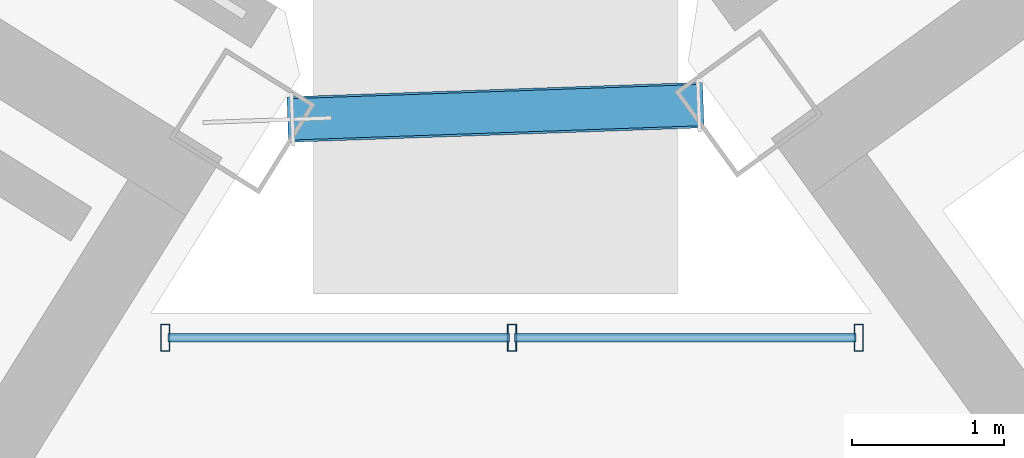
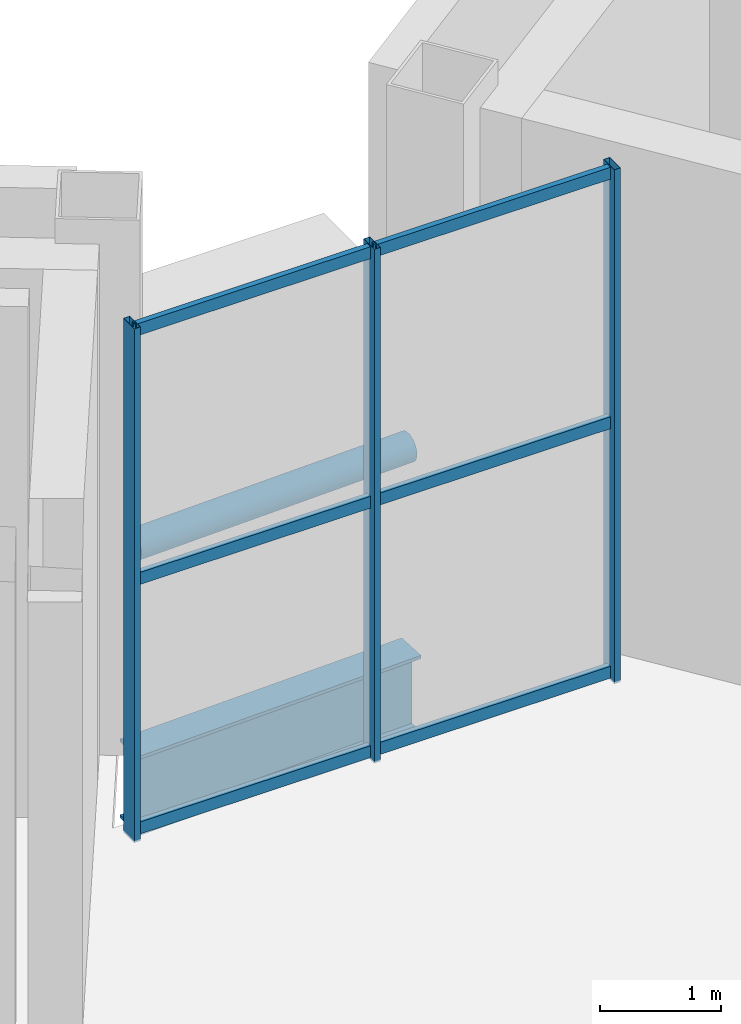
# One storey, part 12 of 32: 10 members, 1 beam, 1 element without a shape of its own.
"""IFC4 building model written with IfcOpenShell, lengths in metres."""

from ifc_helpers import new_model, si_unit, direction, frame, origin, origin_2d, place, context, subcontext, project, spatial, hollow_rectangle, hollow_circle, i_section, extrude, source, transform, mapped, material, material_profile, profile_set, type_object, element, aggregate, save


model = new_model("IFC4")

# Units and contexts
model_context = context("Model", 3, precision=1e-05, world=origin(), true_north=direction((0.0, 1.0)))
body_context = subcontext(model_context, "Body", "Model", "MODEL_VIEW")
ifc_project = project(units=[si_unit("LENGTHUNIT", "METRE"), si_unit("AREAUNIT", "SQUARE_METRE"), si_unit("VOLUMEUNIT", "CUBIC_METRE"), si_unit("PLANEANGLEUNIT", "RADIAN"), si_unit("MASSUNIT", "GRAM", prefix="KILO")], contexts=[model_context])

# Site, building, storey
site_placement = place(None, origin())
site = spatial("IfcSite", under=ifc_project, at=site_placement, CompositionType="ELEMENT")
building_placement = place(site_placement, origin())
building = spatial("IfcBuilding", under=site, at=building_placement, Name="Tlacorven Tower", CompositionType="ELEMENT")
storey_placement = place(building_placement, frame((0.0, 0.0, 245.699951171875)))
storey = spatial("IfcBuildingStorey", under=building, at=storey_placement, Name="L62", CompositionType="ELEMENT", Elevation=245.699951171875)

# Beam
ifc_material_1 = material(Name="Steel S355J2", Category="steel")
ifc_material_profile_1 = material_profile(ifc_material_1, i_section(OverallWidth=0.300048828125, OverallDepth=0.800048828125, WebThickness=0.017578125, FlangeThickness=0.032958984375, at=origin_2d()), Name="HEB 800")
ifc_profile_set_1 = profile_set([ifc_material_profile_1], Name="Steel S355J2")
beam_type = type_object("IfcBeamType", Name="BM-POD-800", PredefinedType="BEAM", material=ifc_profile_set_1)
shared_shape_1 = source(origin(), body_context, "Body", "SweptSolid", [
    extrude(i_section(OverallWidth=0.300048828125, OverallDepth=0.800048828125, WebThickness=0.017578125, FlangeThickness=0.032958984375, at=origin_2d()), origin(), (0.0, 0.0, 1.0), 2.742919921875),
])
beam_placement = place(storey_placement, frame((41.082763671875, 24.478759765625, -0.679931640625), z_axis=(0.999391107631, 0.034891460117, 0.0), x_axis=(-0.034891460117, 0.999391107631, 0.0)))
element("IfcBeam", 1, at=beam_placement, inside=storey, type_object=beam_type, Name="L62 Knuckle Link Girder 1", PredefinedType="BEAM", context=body_context, shape_type="MappedRepresentation", body=[
    mapped(shared_shape_1, transform((0.0, 0.0, 0.0), scale=1.0)),
])

# Member
ifc_material_profile_2 = material_profile(ifc_material_1, hollow_circle(Radius=0.136474609375, WallThickness=0.012451171875, at=origin_2d()), Name="CHS 273.0X12.5")
ifc_profile_set_2 = profile_set([ifc_material_profile_2], Name="Steel S355J2")
member_type_1 = type_object("IfcMemberType", Name="MB-TRB-STR", PredefinedType="STRUT", material=ifc_profile_set_2)
shared_shape_2 = source(origin(), body_context, "Body", "SweptSolid", [
    extrude(hollow_circle(Radius=0.136474609375, WallThickness=0.012451171875, at=origin_2d()), origin(), (0.0, 0.0, 1.0), 2.682861328125),
])
member_1_placement = place(storey_placement, frame((41.11279296875, 24.47998046875, 1.75), z_axis=(0.999392412647, 0.034854060649, 0.0), x_axis=(-0.034854060649, 0.999392412647, 0.0)))
element("IfcMember", 2, at=member_1_placement, inside=storey, type_object=member_type_1, Name="L62 Venturi Wind-Turbine Slot Ring Strut", PredefinedType="STRUT", context=body_context, shape_type="MappedRepresentation", body=[
    mapped(shared_shape_2, transform((0.0, 0.0, 0.0), scale=1.0)),
])

# Curtain wall, members
ifc_material_2 = material(Name="Dark solar low-E double glazing in aluminium frame", Category="aluminium")
curtain_wall_type = type_object("IfcCurtainWallType", Name="CW-TWR-HIGH", PredefinedType="USERDEFINED", material=ifc_material_2)
curtain_wall_placement = place(storey_placement, origin())
curtain_wall = element("IfcCurtainWall", 3, at=curtain_wall_placement, inside=storey, type_object=curtain_wall_type, Name="L62 CW-TWR-HIGH Curtain Wall 289", ObjectType="UNITISED CURTAIN WALL", PredefinedType="USERDEFINED")
ifc_material_3 = material(Name="Aluminium 6063-T6 anodised", Category="aluminium")
ifc_material_profile_3 = material_profile(ifc_material_3, hollow_rectangle(XDim=0.054931640625, YDim=0.1201171875, WallThickness=0.00341796875, at=origin_2d()), Name="ALU TRANSOM 55X120")
ifc_profile_set_3 = profile_set([ifc_material_profile_3], Name="Aluminium 6063-T6 anodised")
member_type_2 = type_object("IfcMemberType", Name="CWT-03", PredefinedType="USERDEFINED", material=ifc_profile_set_3)
shared_shape_3 = source(origin(), body_context, "Body", "SweptSolid", [
    extrude(hollow_rectangle(XDim=0.054931640625, YDim=0.1201171875, WallThickness=0.00341796875, at=origin_2d()), origin(), (0.0, 0.0, 1.0), 2.252197265625),
])
member_2_placement = place(storey_placement, frame((40.2919921875, 23.0400390625, 0.06005859375), z_axis=(1.0, 0.0, 0.0), x_axis=(0.0, 1.0, 0.0)))
member_2 = element("IfcMember", 4, at=member_2_placement, type_object=member_type_2, Name="CW-L62-289 Transom 1", ObjectType="TRANSOM", PredefinedType="USERDEFINED", context=body_context, shape_type="MappedRepresentation", body=[
    mapped(shared_shape_3, transform((0.0, 0.0, 0.0), scale=1.0)),
])
member_3_placement = place(storey_placement, frame((40.2919921875, 23.0400390625, 2.574951171875), z_axis=(1.0, 0.0, 0.0), x_axis=(0.0, 1.0, 0.0)))
member_3 = element("IfcMember", 5, at=member_3_placement, type_object=member_type_2, Name="CW-L62-289 Transom 2", ObjectType="TRANSOM", PredefinedType="USERDEFINED", context=body_context, shape_type="MappedRepresentation", body=[
    mapped(shared_shape_3, transform((0.0, 0.0, 0.0), scale=1.0)),
])
member_4_placement = place(storey_placement, frame((40.2919921875, 23.0400390625, 5.090087890625), z_axis=(1.0, 0.0, 0.0), x_axis=(0.0, 1.0, 0.0)))
member_4 = element("IfcMember", 6, at=member_4_placement, type_object=member_type_2, Name="CW-L62-289 Transom 3", ObjectType="TRANSOM", PredefinedType="USERDEFINED", context=body_context, shape_type="MappedRepresentation", body=[
    mapped(shared_shape_3, transform((0.0, 0.0, 0.0), scale=1.0)),
])
member_5_placement = place(storey_placement, frame((42.580322265625, 23.0400390625, 0.06005859375), z_axis=(1.0, 0.0, 0.0), x_axis=(0.0, 1.0, 0.0)))
member_5 = element("IfcMember", 7, at=member_5_placement, type_object=member_type_2, Name="CW-L62-289 Transom 4", ObjectType="TRANSOM", PredefinedType="USERDEFINED", context=body_context, shape_type="MappedRepresentation", body=[
    mapped(shared_shape_3, transform((0.0, 0.0, 0.0), scale=1.0)),
])
member_6_placement = place(storey_placement, frame((42.580322265625, 23.0400390625, 2.574951171875), z_axis=(1.0, 0.0, 0.0), x_axis=(0.0, 1.0, 0.0)))
member_6 = element("IfcMember", 8, at=member_6_placement, type_object=member_type_2, Name="CW-L62-289 Transom 5", ObjectType="TRANSOM", PredefinedType="USERDEFINED", context=body_context, shape_type="MappedRepresentation", body=[
    mapped(shared_shape_3, transform((0.0, 0.0, 0.0), scale=1.0)),
])
member_7_placement = place(storey_placement, frame((42.580322265625, 23.0400390625, 5.090087890625), z_axis=(1.0, 0.0, 0.0), x_axis=(0.0, 1.0, 0.0)))
member_7 = element("IfcMember", 9, at=member_7_placement, type_object=member_type_2, Name="CW-L62-289 Transom 6", ObjectType="TRANSOM", PredefinedType="USERDEFINED", context=body_context, shape_type="MappedRepresentation", body=[
    mapped(shared_shape_3, transform((0.0, 0.0, 0.0), scale=1.0)),
])
ifc_material_profile_4 = material_profile(ifc_material_3, hollow_rectangle(XDim=0.06005859375, YDim=0.179931640625, WallThickness=0.00390625, at=origin_2d()), Name="ALU MULLION 60X180")
ifc_profile_set_4 = profile_set([ifc_material_profile_4], Name="Aluminium 6063-T6 anodised")
member_type_3 = type_object("IfcMemberType", Name="CWM-03", PredefinedType="MULLION", material=ifc_profile_set_4)
shared_shape_4 = source(origin(), body_context, "Body", "SweptSolid", [
    extrude(hollow_rectangle(XDim=0.06005859375, YDim=0.179931640625, WallThickness=0.00390625, at=origin_2d()), origin(), (0.0, 0.0, 1.0), 5.18017578125),
])
member_8_placement = place(storey_placement, frame((40.27392578125, 23.0400390625, -0.02001953125), z_axis=(0.0, 0.0, 1.0), x_axis=(1.0, 0.0, 0.0)))
member_8 = element("IfcMember", 10, at=member_8_placement, type_object=member_type_3, Name="CW-L62-289 Mullion 1", PredefinedType="MULLION", context=body_context, shape_type="MappedRepresentation", body=[
    mapped(shared_shape_4, transform((0.0, 0.0, 0.0), scale=1.0)),
])
member_9_placement = place(storey_placement, frame((42.562255859375, 23.0400390625, -0.02001953125), z_axis=(0.0, 0.0, 1.0), x_axis=(1.0, 0.0, 0.0)))
member_9 = element("IfcMember", 11, at=member_9_placement, type_object=member_type_3, Name="CW-L62-289 Mullion 2", PredefinedType="MULLION", context=body_context, shape_type="MappedRepresentation", body=[
    mapped(shared_shape_4, transform((0.0, 0.0, 0.0), scale=1.0)),
])
member_10_placement = place(storey_placement, frame((44.8505859375, 23.0400390625, -0.02001953125), z_axis=(0.0, 0.0, 1.0), x_axis=(1.0, 0.0, 0.0)))
member_10 = element("IfcMember", 12, at=member_10_placement, type_object=member_type_3, Name="CW-L62-289 Mullion 3", PredefinedType="MULLION", context=body_context, shape_type="MappedRepresentation", body=[
    mapped(shared_shape_4, transform((0.0, 0.0, 0.0), scale=1.0)),
])
aggregate(curtain_wall, [member_8, member_9, member_10, member_2, member_3, member_4, member_5, member_6, member_7])

save(model, "model.ifc")
